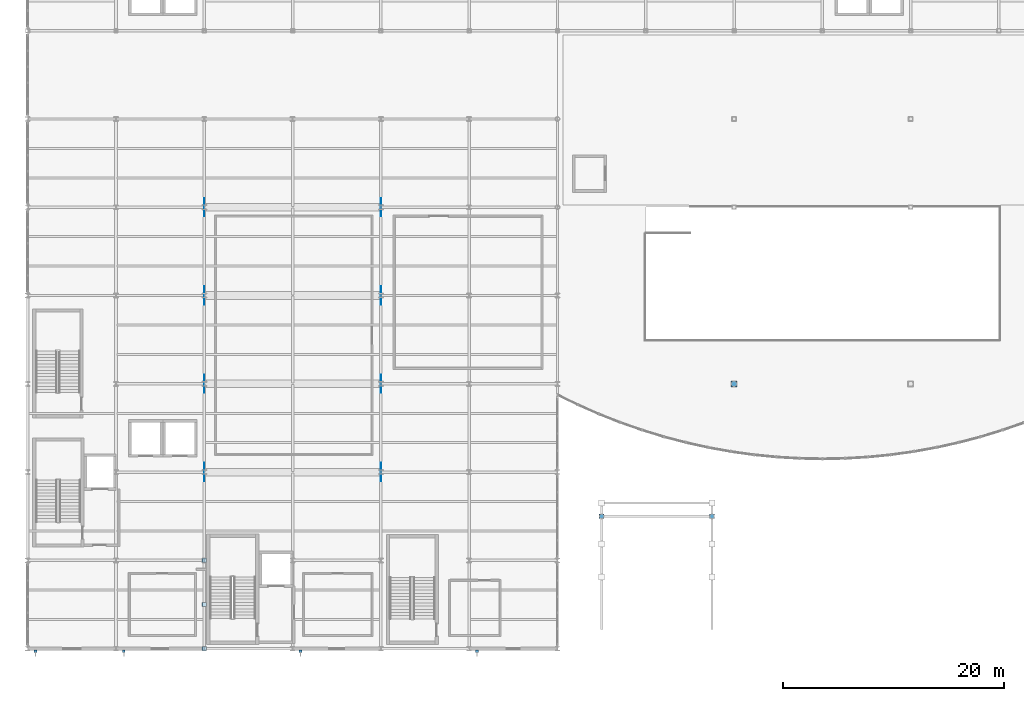
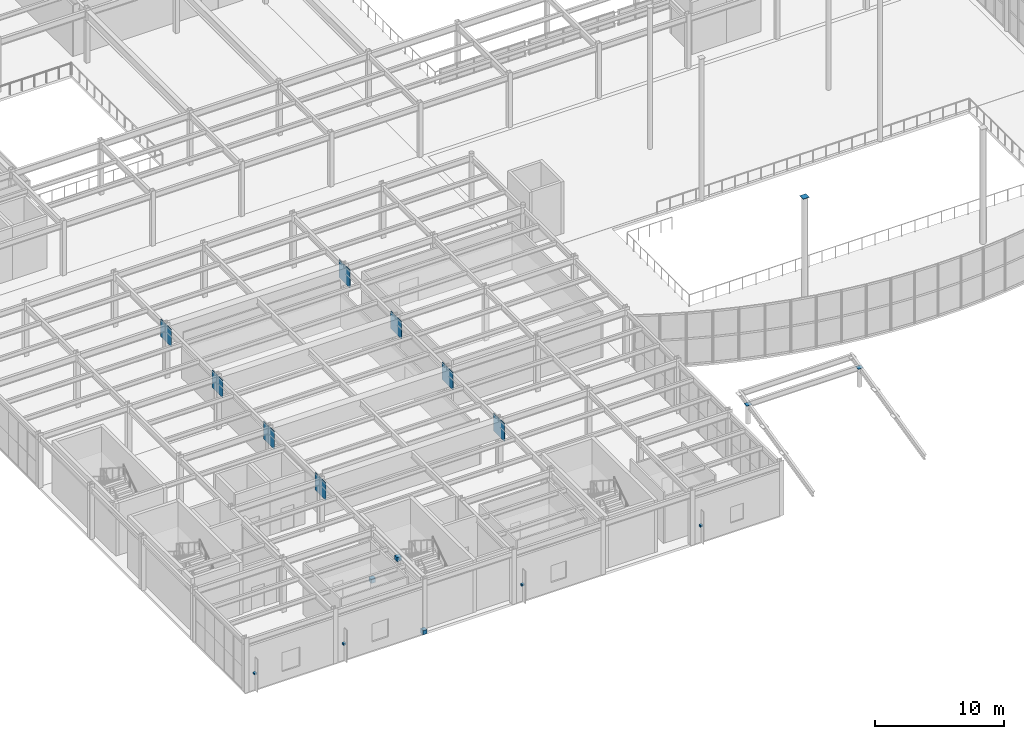
# One storey, part 62 of 77: 18 discrete accessories.
"""IFC4 building model written with IfcOpenShell, lengths in metres."""

from ifc_helpers import new_model, si_unit, direction, frame, origin, origin_2d, place, context, subcontext, project, spatial, rectangle, extrude, material, type_object, element, save


model = new_model("IFC4")

# Units and contexts
model_context = context("Model", 3, precision=1e-05, world=origin(), true_north=direction((0.0, 1.0)))
body_context = subcontext(model_context, "Body", "Model", "MODEL_VIEW")
ifc_project = project(units=[si_unit("LENGTHUNIT", "METRE"), si_unit("AREAUNIT", "SQUARE_METRE"), si_unit("VOLUMEUNIT", "CUBIC_METRE"), si_unit("PLANEANGLEUNIT", "RADIAN"), si_unit("MASSUNIT", "GRAM", prefix="KILO")], contexts=[model_context])

# Site, building, storey
site_placement = place(None, origin())
site = spatial("IfcSite", under=ifc_project, at=site_placement, CompositionType="ELEMENT")
building_placement = place(site_placement, origin())
building = spatial("IfcBuilding", under=site, at=building_placement, Name="Drelvath Fold Interchange", CompositionType="ELEMENT")
storey_placement = place(building_placement, frame((0.0, 0.0, 6.0)))
storey = spatial("IfcBuildingStorey", under=building, at=storey_placement, Name="L01", CompositionType="ELEMENT", Elevation=6.0)

# Discrete accessories
ifc_material_1 = material(Name="Stainless Steel 316L", Category="steel")
discrete_accessory_type_1 = type_object("IfcDiscreteAccessoryType", Name="AC-BRK220", PredefinedType="BRACKET", material=ifc_material_1)
for number, where, z_axis, x_axis, name in (
    (1, (4.712890625, 2.762939453125, 1.56982421875), (0.0, 0.0, 1.0), (0.0, 1.0, 0.0), "Solar fin bracket 21"),
    (2, (12.712890625, 2.762939453125, 1.56982421875), (0.0, 0.0, 1.0), (0.0, 1.0, 0.0), "Solar fin bracket 22"),
    (3, (28.712890625, 2.762939453125, 1.56982421875), (0.0, 0.0, 1.0), (0.0, 1.0, 0.0), "Solar fin bracket 23"),
    (4, (44.712890625, 2.762939453125, 1.56982421875), (0.0, 0.0, 1.0), (0.0, 1.0, 0.0), "Solar fin bracket 24"),
):
    element("IfcDiscreteAccessory", number, at=place(storey_placement, frame(where, z_axis=z_axis, x_axis=x_axis)), inside=storey, type_object=discrete_accessory_type_1, Name=name, PredefinedType="BRACKET", context=body_context, shape_type="SweptSolid", body=[
        extrude(rectangle(XDim=0.239990234375, YDim=0.239990234375, at=origin_2d()), origin(), (0.0, 0.0, 1.0), 0.159912109375),
    ])
ifc_material_2 = material(Name="Steel ASTM A572 Grade 50", Category="steel")
discrete_accessory_type_2 = type_object("IfcDiscreteAccessoryType", Name="AC-CAP380", PredefinedType="BRACKET", material=ifc_material_2)
discrete_accessory_placement = place(storey_placement, frame((68.0, 27.0, 9.9541015625), z_axis=(0.0, 0.0, 1.0), x_axis=(1.0, 0.0, 0.0)))
element("IfcDiscreteAccessory", 5, at=discrete_accessory_placement, inside=storey, type_object=discrete_accessory_type_2, Name="Welded hollow column end cap 17", PredefinedType="BRACKET", context=body_context, shape_type="SweptSolid", body=[
    extrude(rectangle(XDim=0.548095703125, YDim=0.548095703125, at=origin_2d()), origin(), (0.0, 0.0, 1.0), 0.030029296875),
])
for number, where, z_axis, x_axis, name in (
    (6, (19.9951171875, 19.0, 3.31982421875), (0.0, 0.0, 1.0), (1.0, 0.0, 0.0), "Welded hollow member end cap 120"),
    (7, (36.0048828125, 19.0, 3.31982421875), (0.0, 0.0, 1.0), (1.0, 0.0, 0.0), "Welded hollow member end cap 121"),
    (8, (19.9951171875, 27.0, 3.31982421875), (0.0, 0.0, 1.0), (1.0, 0.0, 0.0), "Welded hollow member end cap 122"),
    (9, (36.0048828125, 27.0, 3.31982421875), (0.0, 0.0, 1.0), (1.0, 0.0, 0.0), "Welded hollow member end cap 123"),
    (10, (19.9951171875, 35.0, 3.31982421875), (0.0, 0.0, 1.0), (1.0, 0.0, 0.0), "Welded hollow member end cap 124"),
    (11, (36.0048828125, 35.0, 3.31982421875), (0.0, 0.0, 1.0), (1.0, 0.0, 0.0), "Welded hollow member end cap 125"),
    (12, (19.9951171875, 43.0, 3.31982421875), (0.0, 0.0, 1.0), (1.0, 0.0, 0.0), "Welded hollow member end cap 126"),
    (13, (36.0048828125, 43.0, 3.31982421875), (0.0, 0.0, 1.0), (1.0, 0.0, 0.0), "Welded hollow member end cap 127"),
):
    element("IfcDiscreteAccessory", number, at=place(storey_placement, frame(where, z_axis=z_axis, x_axis=x_axis)), inside=storey, type_object=discrete_accessory_type_2, Name=name, PredefinedType="BRACKET", context=body_context, shape_type="SweptSolid", body=[
        extrude(rectangle(XDim=0.0400390625, YDim=1.659912109375, at=origin_2d()), origin(), (0.0, 0.0, 1.0), 1.659912109375),
    ])
for number, where, z_axis, x_axis, name in (
    (14, (56.0, 15.0, 1.7568359375), (0.0, 0.0, 1.0), (1.0, 0.0, 0.0), "Welded hollow column end cap 531"),
    (15, (66.0, 15.0, 1.7568359375), (0.0, 0.0, 1.0), (1.0, 0.0, 0.0), "Welded hollow column end cap 532"),
):
    element("IfcDiscreteAccessory", number, at=place(storey_placement, frame(where, z_axis=z_axis, x_axis=x_axis)), inside=storey, type_object=discrete_accessory_type_2, Name=name, PredefinedType="BRACKET", context=body_context, shape_type="SweptSolid", body=[
        extrude(rectangle(XDim=0.446044921875, YDim=0.446044921875, at=origin_2d()), origin(), (0.0, 0.0, 1.0), 0.030029296875),
    ])
for number, where, z_axis, x_axis, name in (
    (16, (20.0, 2.9970703125, -0.041015625), (0.0, 0.0, 1.0), (1.0, 0.0, 0.0), "Welded hollow member end cap 536"),
    (17, (20.0, 7.0029296875, 4.447998046875), (0.0, 0.0, 1.0), (1.0, 0.0, 0.0), "Welded hollow member end cap 537"),
    (18, (20.0, 11.0029296875, -0.041015625), (0.0, 0.0, 1.0), (1.0, 0.0, 0.0), "Welded hollow member end cap 538"),
):
    element("IfcDiscreteAccessory", number, at=place(storey_placement, frame(where, z_axis=z_axis, x_axis=x_axis)), inside=storey, type_object=discrete_accessory_type_2, Name=name, PredefinedType="BRACKET", context=body_context, shape_type="SweptSolid", body=[
        extrude(rectangle(XDim=0.39404296875, YDim=0.39404296875, at=origin_2d()), origin(), (0.0, 0.0, 1.0), 0.39404296875),
    ])

save(model, "model.ifc")
